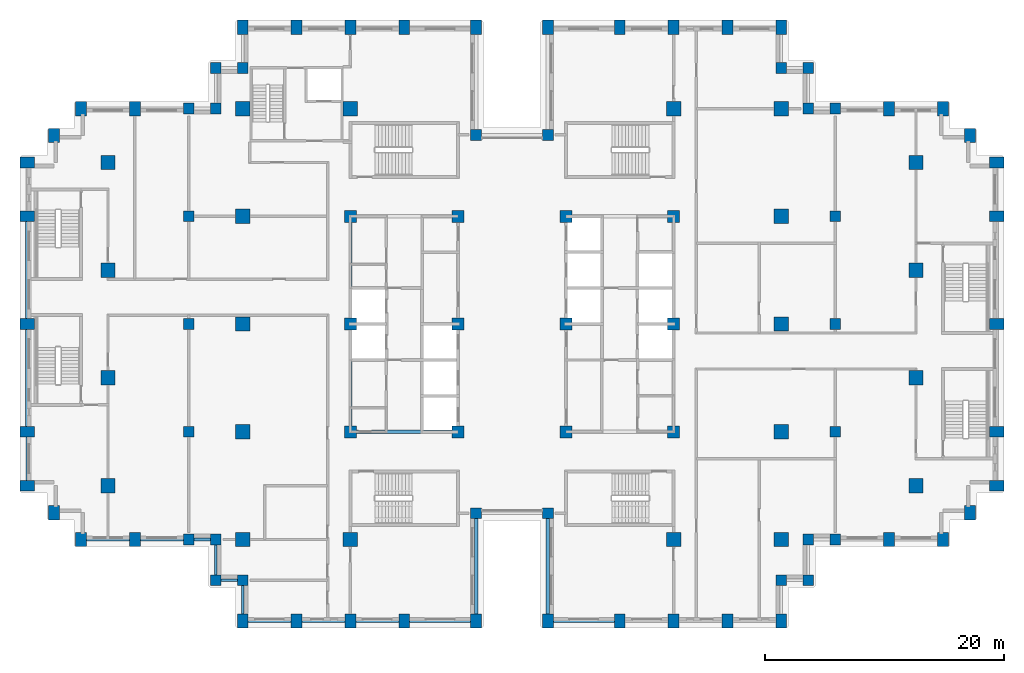
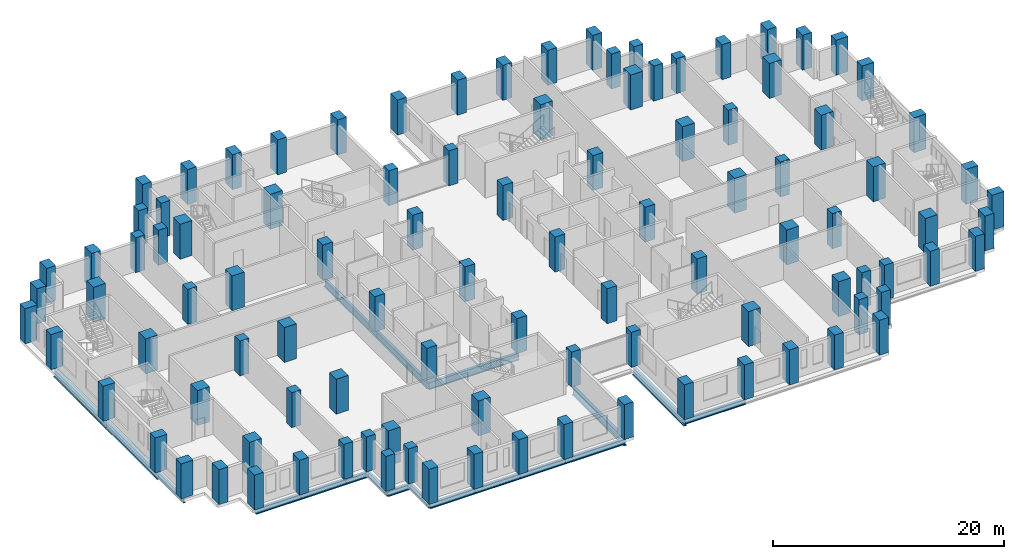
# One storey, part 1 of 16: 102 columns, 19 beams.
"""IFC4 building model written with IfcOpenShell, lengths in metres."""

from ifc_helpers import new_model, si_unit, direction, frame, origin, origin_2d, place, context, subcontext, project, spatial, rectangle, i_section, extrude, material, material_profile, profile_set, type_object, element, save


model = new_model("IFC4")

# Units and contexts
model_context = context("Model", 3, precision=1e-05, world=origin(), true_north=direction((0.0, 1.0)))
body_context = subcontext(model_context, "Body", "Model", "MODEL_VIEW")
ifc_project = project(units=[si_unit("LENGTHUNIT", "METRE"), si_unit("AREAUNIT", "SQUARE_METRE"), si_unit("VOLUMEUNIT", "CUBIC_METRE"), si_unit("PLANEANGLEUNIT", "RADIAN"), si_unit("MASSUNIT", "GRAM", prefix="KILO")], contexts=[model_context])

# Site, building, storey
site_placement = place(None, origin())
site = spatial("IfcSite", under=ifc_project, at=site_placement, CompositionType="ELEMENT")
building_placement = place(site_placement, origin())
building = spatial("IfcBuilding", under=site, at=building_placement, Name="Corbelhall Arena Tower", CompositionType="ELEMENT")
storey_placement = place(building_placement, frame((0.0, 0.0, 76.0)))
storey = spatial("IfcBuildingStorey", under=building, at=storey_placement, Name="L11", CompositionType="ELEMENT", Elevation=76.0)

# Columns
ifc_material_1 = material(Name="Concrete C80/95", Category="concrete")
ifc_material_profile_1 = material_profile(ifc_material_1, rectangle(XDim=1.0, YDim=1.0, at=origin_2d()))
ifc_profile_set_1 = profile_set([ifc_material_profile_1], Name="Concrete C80/95")
column_type_1 = type_object("IfcColumnType", Name="ST-COL-RC 1000x1000", PredefinedType="COLUMN", material=ifc_profile_set_1)
for number, where, z_axis, x_axis, name in (
    (1, (4.5, 0.0, 0.0), (0.0, 0.0, 1.0), (1.0, 0.0, 0.0), "Column KE+0450+0000"),
    (2, (4.5, 9.0, 0.0), (0.0, 0.0, 1.0), (1.0, 0.0, 0.0), "Column KE+0450+0900"),
    (3, (4.5, -9.0, 0.0), (0.0, 0.0, 1.0), (1.0, 0.0, 0.0), "Column KE+0450-0900"),
    (4, (13.5, 0.0, 0.0), (0.0, 0.0, 1.0), (1.0, 0.0, 0.0), "Column KE+1350+0000"),
    (5, (13.5, 9.0, 0.0), (0.0, 0.0, 1.0), (1.0, 0.0, 0.0), "Column KE+1350+0900"),
    (6, (13.5, -9.0, 0.0), (0.0, 0.0, 1.0), (1.0, 0.0, 0.0), "Column KE+1350-0900"),
    (7, (-4.5, 0.0, 0.0), (0.0, 0.0, 1.0), (1.0, 0.0, 0.0), "Column KW-0450+0000"),
    (8, (-4.5, 9.0, 0.0), (0.0, 0.0, 1.0), (1.0, 0.0, 0.0), "Column KW-0450+0900"),
    (9, (-4.5, -9.0, 0.0), (0.0, 0.0, 1.0), (1.0, 0.0, 0.0), "Column KW-0450-0900"),
    (10, (-13.5, 0.0, 0.0), (0.0, 0.0, 1.0), (1.0, 0.0, 0.0), "Column KW-1350+0000"),
    (11, (-13.5, 9.0, 0.0), (0.0, 0.0, 1.0), (1.0, 0.0, 0.0), "Column KW-1350+0900"),
    (12, (-13.5, -9.0, 0.0), (0.0, 0.0, 1.0), (1.0, 0.0, 0.0), "Column KW-1350-0900"),
):
    element("IfcColumn", number, at=place(storey_placement, frame(where, z_axis=z_axis, x_axis=x_axis)), inside=storey, type_object=column_type_1, Name=name, PredefinedType="COLUMN", context=body_context, shape_type="SweptSolid", body=[
        extrude(rectangle(XDim=1.0, YDim=1.0, at=origin_2d()), origin(), (0.0, 0.0, 1.0), 3.699951171875),
    ])
ifc_material_profile_2 = material_profile(ifc_material_1, rectangle(XDim=1.199951171875, YDim=1.199951171875, at=origin_2d()))
ifc_profile_set_2 = profile_set([ifc_material_profile_2], Name="Concrete C80/95")
column_type_2 = type_object("IfcColumnType", Name="ST-COL-RC 1200x1200", PredefinedType="COLUMN", material=ifc_profile_set_2)
for number, where, z_axis, x_axis, name in (
    (13, (-33.75, 4.5, 0.0), (0.0, 0.0, 1.0), (1.0, 0.0, 0.0), "Column FIC+0450"),
    (14, (-33.75, 13.5, 0.0), (0.0, 0.0, 1.0), (1.0, 0.0, 0.0), "Column FIC+1350"),
    (15, (-33.75, -4.5, 0.0), (0.0, 0.0, 1.0), (1.0, 0.0, 0.0), "Column FIC-0450"),
    (16, (-33.75, -13.5, 0.0), (0.0, 0.0, 1.0), (1.0, 0.0, 0.0), "Column FIC-1350"),
    (17, (33.75, 4.5, 0.0), (0.0, 0.0, 1.0), (1.0, 0.0, 0.0), "Column FID+0450"),
    (18, (33.75, 13.5, 0.0), (0.0, 0.0, 1.0), (1.0, 0.0, 0.0), "Column FID+1350"),
    (19, (33.75, -4.5, 0.0), (0.0, 0.0, 1.0), (1.0, 0.0, 0.0), "Column FID-0450"),
    (20, (33.75, -13.5, 0.0), (0.0, 0.0, 1.0), (1.0, 0.0, 0.0), "Column FID-1350"),
    (21, (13.5, 18.0, 0.0), (0.0, 0.0, 1.0), (1.0, 0.0, 0.0), "Column IE13+1800"),
    (22, (13.5, -18.0, 0.0), (0.0, 0.0, 1.0), (1.0, 0.0, 0.0), "Column IE13-1800"),
    (23, (22.5, 0.0, 0.0), (0.0, 0.0, 1.0), (1.0, 0.0, 0.0), "Column IE22+0000"),
    (24, (22.5, 9.0, 0.0), (0.0, 0.0, 1.0), (1.0, 0.0, 0.0), "Column IE22+0900"),
    (25, (22.5, 18.0, 0.0), (0.0, 0.0, 1.0), (1.0, 0.0, 0.0), "Column IE22+1800"),
    (26, (22.5, -9.0, 0.0), (0.0, 0.0, 1.0), (1.0, 0.0, 0.0), "Column IE22-0900"),
    (27, (22.5, -18.0, 0.0), (0.0, 0.0, 1.0), (1.0, 0.0, 0.0), "Column IE22-1800"),
    (28, (-13.5, 18.0, 0.0), (0.0, 0.0, 1.0), (1.0, 0.0, 0.0), "Column IW13+1800"),
    (29, (-13.5, -18.0, 0.0), (0.0, 0.0, 1.0), (1.0, 0.0, 0.0), "Column IW13-1800"),
    (30, (-22.5, 0.0, 0.0), (0.0, 0.0, 1.0), (1.0, 0.0, 0.0), "Column IW22+0000"),
    (31, (-22.5, 9.0, 0.0), (0.0, 0.0, 1.0), (1.0, 0.0, 0.0), "Column IW22+0900"),
    (32, (-22.5, 18.0, 0.0), (0.0, 0.0, 1.0), (1.0, 0.0, 0.0), "Column IW22+1800"),
    (33, (-22.5, -9.0, 0.0), (0.0, 0.0, 1.0), (1.0, 0.0, 0.0), "Column IW22-0900"),
    (34, (-22.5, -18.0, 0.0), (0.0, 0.0, 1.0), (1.0, 0.0, 0.0), "Column IW22-1800"),
):
    element("IfcColumn", number, at=place(storey_placement, frame(where, z_axis=z_axis, x_axis=x_axis)), inside=storey, type_object=column_type_2, Name=name, PredefinedType="COLUMN", context=body_context, shape_type="SweptSolid", body=[
        extrude(rectangle(XDim=1.199951171875, YDim=1.199951171875, at=origin_2d()), origin(), (0.0, 0.0, 1.0), 3.699951171875),
    ])
ifc_material_profile_3 = material_profile(ifc_material_1, rectangle(XDim=0.89990234375, YDim=1.199951171875, at=origin_2d()))
ifc_profile_set_3 = profile_set([ifc_material_profile_3], Name="Concrete C80/95")
column_type_3 = type_object("IfcColumnType", Name="ST-COL-RC 900x1200", PredefinedType="COLUMN", material=ifc_profile_set_3)
for number, where, z_axis, x_axis, name in (
    (35, (-40.5, 0.0, 0.0), (0.0, 0.0, 1.0), (0.0, 1.0, 0.0), "Column FC+0000"),
    (36, (-40.5, 9.0, 0.0), (0.0, 0.0, 1.0), (0.0, 1.0, 0.0), "Column FC+0900"),
    (37, (-40.5, 13.5, 0.0), (0.0, 0.0, 1.0), (0.0, 1.0, 0.0), "Column FC+1350"),
    (38, (-40.5, -9.0, 0.0), (0.0, 0.0, 1.0), (0.0, 1.0, 0.0), "Column FC-0900"),
    (39, (-40.5, -13.5, 0.0), (0.0, 0.0, 1.0), (0.0, 1.0, 0.0), "Column FC-1350"),
    (40, (-38.25, 15.75, 0.0), (0.0, 0.0, 1.0), (1.0, 0.0, 0.0), "Column FCCN"),
    (41, (-38.25, -15.75, 0.0), (0.0, 0.0, 1.0), (1.0, 0.0, 0.0), "Column FCCS"),
    (42, (-31.5, 18.0, 0.0), (0.0, 0.0, 1.0), (1.0, 0.0, 0.0), "Column FCN3150"),
    (43, (-36.0, 18.0, 0.0), (0.0, 0.0, 1.0), (1.0, 0.0, 0.0), "Column FCN3600"),
    (44, (-31.5, -18.0, 0.0), (0.0, 0.0, 1.0), (1.0, 0.0, 0.0), "Column FCS3150"),
    (45, (-36.0, -18.0, 0.0), (0.0, 0.0, 1.0), (1.0, 0.0, 0.0), "Column FCS3600"),
    (46, (40.5, 0.0, 0.0), (0.0, 0.0, 1.0), (0.0, 1.0, 0.0), "Column FD+0000"),
    (47, (40.5, 9.0, 0.0), (0.0, 0.0, 1.0), (0.0, 1.0, 0.0), "Column FD+0900"),
    (48, (40.5, 13.5, 0.0), (0.0, 0.0, 1.0), (0.0, 1.0, 0.0), "Column FD+1350"),
    (49, (40.5, -9.0, 0.0), (0.0, 0.0, 1.0), (0.0, 1.0, 0.0), "Column FD-0900"),
    (50, (40.5, -13.5, 0.0), (0.0, 0.0, 1.0), (0.0, 1.0, 0.0), "Column FD-1350"),
    (51, (38.25, 15.75, 0.0), (0.0, 0.0, 1.0), (1.0, 0.0, 0.0), "Column FDCN"),
    (52, (38.25, -15.75, 0.0), (0.0, 0.0, 1.0), (1.0, 0.0, 0.0), "Column FDCS"),
    (53, (31.5, 18.0, 0.0), (0.0, 0.0, 1.0), (1.0, 0.0, 0.0), "Column FDN3150"),
    (54, (36.0, 18.0, 0.0), (0.0, 0.0, 1.0), (1.0, 0.0, 0.0), "Column FDN3600"),
    (55, (31.5, -18.0, 0.0), (0.0, 0.0, 1.0), (1.0, 0.0, 0.0), "Column FDS3150"),
    (56, (36.0, -18.0, 0.0), (0.0, 0.0, 1.0), (1.0, 0.0, 0.0), "Column FDS3600"),
    (57, (3.0, 24.800048828125, 0.0), (0.0, 0.0, 1.0), (1.0, 0.0, 0.0), "Column PNE0300"),
    (58, (9.0, 24.800048828125, 0.0), (0.0, 0.0, 1.0), (1.0, 0.0, 0.0), "Column PNE0900"),
    (59, (13.5, 24.800048828125, 0.0), (0.0, 0.0, 1.0), (1.0, 0.0, 0.0), "Column PNE1350"),
    (60, (18.0, 24.800048828125, 0.0), (0.0, 0.0, 1.0), (1.0, 0.0, 0.0), "Column PNE1800"),
    (61, (22.5, 24.800048828125, 0.0), (0.0, 0.0, 1.0), (1.0, 0.0, 0.0), "Column PNE2250"),
    (62, (-3.0, 24.800048828125, 0.0), (0.0, 0.0, 1.0), (1.0, 0.0, 0.0), "Column PNW0300"),
    (63, (-9.0, 24.800048828125, 0.0), (0.0, 0.0, 1.0), (1.0, 0.0, 0.0), "Column PNW0900"),
    (64, (-13.5, 24.800048828125, 0.0), (0.0, 0.0, 1.0), (1.0, 0.0, 0.0), "Column PNW1350"),
    (65, (-18.0, 24.800048828125, 0.0), (0.0, 0.0, 1.0), (1.0, 0.0, 0.0), "Column PNW1800"),
    (66, (-22.5, 24.800048828125, 0.0), (0.0, 0.0, 1.0), (1.0, 0.0, 0.0), "Column PNW2250"),
    (67, (3.0, -24.800048828125, 0.0), (0.0, 0.0, 1.0), (1.0, 0.0, 0.0), "Column PSE0300"),
    (68, (9.0, -24.800048828125, 0.0), (0.0, 0.0, 1.0), (1.0, 0.0, 0.0), "Column PSE0900"),
    (69, (13.5, -24.800048828125, 0.0), (0.0, 0.0, 1.0), (1.0, 0.0, 0.0), "Column PSE1350"),
    (70, (18.0, -24.800048828125, 0.0), (0.0, 0.0, 1.0), (1.0, 0.0, 0.0), "Column PSE1800"),
    (71, (22.5, -24.800048828125, 0.0), (0.0, 0.0, 1.0), (1.0, 0.0, 0.0), "Column PSE2250"),
    (72, (-3.0, -24.800048828125, 0.0), (0.0, 0.0, 1.0), (1.0, 0.0, 0.0), "Column PSW0300"),
    (73, (-9.0, -24.800048828125, 0.0), (0.0, 0.0, 1.0), (1.0, 0.0, 0.0), "Column PSW0900"),
    (74, (-13.5, -24.800048828125, 0.0), (0.0, 0.0, 1.0), (1.0, 0.0, 0.0), "Column PSW1350"),
    (75, (-18.0, -24.800048828125, 0.0), (0.0, 0.0, 1.0), (1.0, 0.0, 0.0), "Column PSW1800"),
    (76, (-22.5, -24.800048828125, 0.0), (0.0, 0.0, 1.0), (1.0, 0.0, 0.0), "Column PSW2250"),
):
    element("IfcColumn", number, at=place(storey_placement, frame(where, z_axis=z_axis, x_axis=x_axis)), inside=storey, type_object=column_type_3, Name=name, PredefinedType="COLUMN", context=body_context, shape_type="SweptSolid", body=[
        extrude(rectangle(XDim=0.89990234375, YDim=1.199951171875, at=origin_2d()), origin(), (0.0, 0.0, 1.0), 3.699951171875),
    ])
ifc_material_profile_4 = material_profile(ifc_material_1, rectangle(XDim=0.89990234375, YDim=0.89990234375, at=origin_2d()))
ifc_profile_set_4 = profile_set([ifc_material_profile_4], Name="Concrete C80/95")
column_type_4 = type_object("IfcColumnType", Name="ST-COL-RC 900x900", PredefinedType="COLUMN", material=ifc_profile_set_4)
for number, where, z_axis, x_axis, name in (
    (77, (27.0, 0.0, 0.0), (0.0, 0.0, 1.0), (1.0, 0.0, 0.0), "Column PE+0000"),
    (78, (27.0, 9.0, 0.0), (0.0, 0.0, 1.0), (1.0, 0.0, 0.0), "Column PE+0900"),
    (79, (27.0, 18.0, 0.0), (0.0, 0.0, 1.0), (1.0, 0.0, 0.0), "Column PE+1800"),
    (80, (27.0, -9.0, 0.0), (0.0, 0.0, 1.0), (1.0, 0.0, 0.0), "Column PE-0900"),
    (81, (27.0, -18.0, 0.0), (0.0, 0.0, 1.0), (1.0, 0.0, 0.0), "Column PE-1800"),
    (82, (-27.0, 0.0, 0.0), (0.0, 0.0, 1.0), (1.0, 0.0, 0.0), "Column PW+0000"),
    (83, (-27.0, 9.0, 0.0), (0.0, 0.0, 1.0), (1.0, 0.0, 0.0), "Column PW+0900"),
    (84, (-27.0, 18.0, 0.0), (0.0, 0.0, 1.0), (1.0, 0.0, 0.0), "Column PW+1800"),
    (85, (-27.0, -9.0, 0.0), (0.0, 0.0, 1.0), (1.0, 0.0, 0.0), "Column PW-0900"),
    (86, (-27.0, -18.0, 0.0), (0.0, 0.0, 1.0), (1.0, 0.0, 0.0), "Column PW-1800"),
    (87, (3.0, 15.800048828125, 0.0), (0.0, 0.0, 1.0), (1.0, 0.0, 0.0), "Column SLNE2"),
    (88, (-3.0, 15.800048828125, 0.0), (0.0, 0.0, 1.0), (1.0, 0.0, 0.0), "Column SLNW2"),
    (89, (3.0, -15.800048828125, 0.0), (0.0, 0.0, 1.0), (1.0, 0.0, 0.0), "Column SLSE2"),
    (90, (-3.0, -15.800048828125, 0.0), (0.0, 0.0, 1.0), (1.0, 0.0, 0.0), "Column SLSW2"),
    (91, (22.5, 21.39990234375, 0.0), (0.0, 0.0, 1.0), (1.0, 0.0, 0.0), "Column XNE1"),
    (92, (24.75, 21.39990234375, 0.0), (0.0, 0.0, 1.0), (1.0, 0.0, 0.0), "Column XNE2"),
    (93, (24.75, 18.0, 0.0), (0.0, 0.0, 1.0), (1.0, 0.0, 0.0), "Column XNE3"),
    (94, (-22.5, 21.39990234375, 0.0), (0.0, 0.0, 1.0), (1.0, 0.0, 0.0), "Column XNW1"),
    (95, (-24.75, 21.39990234375, 0.0), (0.0, 0.0, 1.0), (1.0, 0.0, 0.0), "Column XNW2"),
    (96, (-24.75, 18.0, 0.0), (0.0, 0.0, 1.0), (1.0, 0.0, 0.0), "Column XNW3"),
    (97, (22.5, -21.39990234375, 0.0), (0.0, 0.0, 1.0), (1.0, 0.0, 0.0), "Column XSE1"),
    (98, (24.75, -21.39990234375, 0.0), (0.0, 0.0, 1.0), (1.0, 0.0, 0.0), "Column XSE2"),
    (99, (24.75, -18.0, 0.0), (0.0, 0.0, 1.0), (1.0, 0.0, 0.0), "Column XSE3"),
    (100, (-22.5, -21.39990234375, 0.0), (0.0, 0.0, 1.0), (1.0, 0.0, 0.0), "Column XSW1"),
    (101, (-24.75, -21.39990234375, 0.0), (0.0, 0.0, 1.0), (1.0, 0.0, 0.0), "Column XSW2"),
    (102, (-24.75, -18.0, 0.0), (0.0, 0.0, 1.0), (1.0, 0.0, 0.0), "Column XSW3"),
):
    element("IfcColumn", number, at=place(storey_placement, frame(where, z_axis=z_axis, x_axis=x_axis)), inside=storey, type_object=column_type_4, Name=name, PredefinedType="COLUMN", context=body_context, shape_type="SweptSolid", body=[
        extrude(rectangle(XDim=0.89990234375, YDim=0.89990234375, at=origin_2d()), origin(), (0.0, 0.0, 1.0), 3.699951171875),
    ])

# Beams
ifc_material_2 = material(Name="Steel ASTM A992 Gr50", Category="steel")
ifc_material_profile_5 = material_profile(ifc_material_2, i_section(OverallWidth=0.2666015625, OverallDepth=0.761962890625, WebThickness=0.014404296875, FlangeThickness=0.021484375, at=origin_2d()))
ifc_profile_set_5 = profile_set([ifc_material_profile_5], Name="Steel ASTM A992 Gr50")
beam_type_1 = type_object("IfcBeamType", Name="ST-BEAM-W30x116", PredefinedType="BEAM", material=ifc_profile_set_5)
for number, where, z_axis, x_axis, name in (
    (103, (-13.5, -9.0, -0.680908203125), (0.0, 1.0, 0.0), (-1.0, 0.0, 0.0), "Beam CEW 1"),
    (104, (-13.5, 0.0, -0.680908203125), (0.0, 1.0, 0.0), (-1.0, 0.0, 0.0), "Beam CEW 2"),
    (105, (-13.5, -9.0, -0.680908203125), (1.0, 0.0, 0.0), (0.0, 1.0, 0.0), "Beam CEW 5"),
):
    element("IfcBeam", number, at=place(storey_placement, frame(where, z_axis=z_axis, x_axis=x_axis)), inside=storey, type_object=beam_type_1, Name=name, PredefinedType="BEAM", context=body_context, shape_type="SweptSolid", body=[
        extrude(i_section(OverallWidth=0.2666015625, OverallDepth=0.761962890625, WebThickness=0.014404296875, FlangeThickness=0.021484375, at=origin_2d()), origin(), (0.0, 0.0, 1.0), 9.0),
    ])
ifc_material_profile_6 = material_profile(ifc_material_2, i_section(OverallWidth=0.23046875, OverallDepth=0.6171875, WebThickness=0.01318359375, FlangeThickness=0.022216796875, at=origin_2d()))
ifc_profile_set_6 = profile_set([ifc_material_profile_6], Name="Steel ASTM A992 Gr50")
beam_type_2 = type_object("IfcBeamType", Name="ST-SPANDREL-W24x94", PredefinedType="SPANDREL", material=ifc_profile_set_6)
for number, where, z_axis, x_axis, name in (
    (106, (-40.5, -13.5, -0.608642578125), (0.0, 1.0, 0.0), (-1.0, 0.0, 0.0), "Beam SP 4"),
    (107, (-31.5, -18.0, -0.608642578125), (-1.0, 0.0, 0.0), (0.0, -1.0, 0.0), "Beam SP 7"),
):
    element("IfcBeam", number, at=place(storey_placement, frame(where, z_axis=z_axis, x_axis=x_axis)), inside=storey, type_object=beam_type_2, Name=name, PredefinedType="SPANDREL", context=body_context, shape_type="SweptSolid", body=[
        extrude(i_section(OverallWidth=0.23046875, OverallDepth=0.6171875, WebThickness=0.01318359375, FlangeThickness=0.022216796875, at=origin_2d()), origin(), (0.0, 0.0, 1.0), 4.5),
    ])
for number, where, z_axis, x_axis, name in (
    (108, (9.0, -24.800048828125, -0.608642578125), (-1.0, 0.0, 0.0), (0.0, -1.0, 0.0), "Beam SP 28"),
    (109, (-3.0, -24.800048828125, -0.608642578125), (-1.0, 0.0, 0.0), (0.0, -1.0, 0.0), "Beam SP 32"),
):
    element("IfcBeam", number, at=place(storey_placement, frame(where, z_axis=z_axis, x_axis=x_axis)), inside=storey, type_object=beam_type_2, Name=name, PredefinedType="SPANDREL", context=body_context, shape_type="SweptSolid", body=[
        extrude(i_section(OverallWidth=0.23046875, OverallDepth=0.6171875, WebThickness=0.01318359375, FlangeThickness=0.022216796875, at=origin_2d()), origin(), (0.0, 0.0, 1.0), 6.0),
    ])
for number, where, z_axis, x_axis, name in (
    (110, (-9.0, -24.800048828125, -0.608642578125), (-1.0, 0.0, 0.0), (0.0, -1.0, 0.0), "Beam SP 33"),
    (111, (-13.5, -24.800048828125, -0.608642578125), (-1.0, 0.0, 0.0), (0.0, -1.0, 0.0), "Beam SP 34"),
    (112, (-18.0, -24.800048828125, -0.608642578125), (-1.0, 0.0, 0.0), (0.0, -1.0, 0.0), "Beam SP 35"),
):
    element("IfcBeam", number, at=place(storey_placement, frame(where, z_axis=z_axis, x_axis=x_axis)), inside=storey, type_object=beam_type_2, Name=name, PredefinedType="SPANDREL", context=body_context, shape_type="SweptSolid", body=[
        extrude(i_section(OverallWidth=0.23046875, OverallDepth=0.6171875, WebThickness=0.01318359375, FlangeThickness=0.022216796875, at=origin_2d()), origin(), (0.0, 0.0, 1.0), 4.5),
    ])
beam_1_placement = place(storey_placement, frame((-22.5, -24.800048828125, -0.608642578125), z_axis=(0.0, 1.0, 0.0), x_axis=(-1.0, 0.0, 0.0)))
element("IfcBeam", 113, at=beam_1_placement, inside=storey, type_object=beam_type_2, Name="Beam SP 36", PredefinedType="SPANDREL", context=body_context, shape_type="SweptSolid", body=[
    extrude(i_section(OverallWidth=0.23046875, OverallDepth=0.6171875, WebThickness=0.01318359375, FlangeThickness=0.022216796875, at=origin_2d()), origin(), (0.0, 0.0, 1.0), 3.400146484375),
])
beam_2_placement = place(storey_placement, frame((-27.0, -18.0, -0.608642578125), z_axis=(-1.0, 0.0, 0.0), x_axis=(0.0, -1.0, 0.0)))
element("IfcBeam", 114, at=beam_2_placement, inside=storey, type_object=beam_type_2, Name="Beam SP 38", PredefinedType="SPANDREL", context=body_context, shape_type="SweptSolid", body=[
    extrude(i_section(OverallWidth=0.23046875, OverallDepth=0.6171875, WebThickness=0.01318359375, FlangeThickness=0.022216796875, at=origin_2d()), origin(), (0.0, 0.0, 1.0), 4.5),
])
beam_3_placement = place(storey_placement, frame((-22.5, -21.39990234375, -0.608642578125), z_axis=(-1.0, 0.0, 0.0), x_axis=(0.0, -1.0, 0.0)))
element("IfcBeam", 115, at=beam_3_placement, inside=storey, type_object=beam_type_2, Name="Beam SP 52", PredefinedType="SPANDREL", context=body_context, shape_type="SweptSolid", body=[
    extrude(i_section(OverallWidth=0.23046875, OverallDepth=0.6171875, WebThickness=0.01318359375, FlangeThickness=0.022216796875, at=origin_2d()), origin(), (0.0, 0.0, 1.0), 2.25),
])
beam_4_placement = place(storey_placement, frame((-24.75, -21.39990234375, -0.608642578125), z_axis=(0.0, 1.0, 0.0), x_axis=(-1.0, 0.0, 0.0)))
element("IfcBeam", 116, at=beam_4_placement, inside=storey, type_object=beam_type_2, Name="Beam SP 53", PredefinedType="SPANDREL", context=body_context, shape_type="SweptSolid", body=[
    extrude(i_section(OverallWidth=0.23046875, OverallDepth=0.6171875, WebThickness=0.01318359375, FlangeThickness=0.022216796875, at=origin_2d()), origin(), (0.0, 0.0, 1.0), 3.39990234375),
])
beam_5_placement = place(storey_placement, frame((-24.75, -18.0, -0.608642578125), z_axis=(-1.0, 0.0, 0.0), x_axis=(0.0, -1.0, 0.0)))
element("IfcBeam", 117, at=beam_5_placement, inside=storey, type_object=beam_type_2, Name="Beam SP 54", PredefinedType="SPANDREL", context=body_context, shape_type="SweptSolid", body=[
    extrude(i_section(OverallWidth=0.23046875, OverallDepth=0.6171875, WebThickness=0.01318359375, FlangeThickness=0.022216796875, at=origin_2d()), origin(), (0.0, 0.0, 1.0), 2.25),
])
ifc_material_profile_7 = material_profile(ifc_material_2, i_section(OverallWidth=0.2919921875, OverallDepth=0.845703125, WebThickness=0.015380859375, FlangeThickness=0.0244140625, at=origin_2d()))
ifc_profile_set_7 = profile_set([ifc_material_profile_7], Name="Steel ASTM A992 Gr50")
beam_type_3 = type_object("IfcBeamType", Name="ST-SPANDREL-W33x141", PredefinedType="SPANDREL", material=ifc_profile_set_7)
for number, where, z_axis, x_axis, name in (
    (118, (-40.5, 0.0, -0.722900390625), (0.0, 1.0, 0.0), (-1.0, 0.0, 0.0), "Beam SP 1"),
    (119, (-40.5, -9.0, -0.722900390625), (0.0, 1.0, 0.0), (-1.0, 0.0, 0.0), "Beam SP 3"),
    (120, (3.0, -24.800048828125, -0.722900390625), (0.0, 1.0, 0.0), (-1.0, 0.0, 0.0), "Beam SP 27"),
    (121, (-3.0, -15.800048828125, -0.722900390625), (0.0, -1.0, 0.0), (1.0, 0.0, 0.0), "Beam SP 42"),
):
    element("IfcBeam", number, at=place(storey_placement, frame(where, z_axis=z_axis, x_axis=x_axis)), inside=storey, type_object=beam_type_3, Name=name, PredefinedType="SPANDREL", context=body_context, shape_type="SweptSolid", body=[
        extrude(i_section(OverallWidth=0.2919921875, OverallDepth=0.845703125, WebThickness=0.015380859375, FlangeThickness=0.0244140625, at=origin_2d()), origin(), (0.0, 0.0, 1.0), 9.0),
    ])

save(model, "model.ifc")
